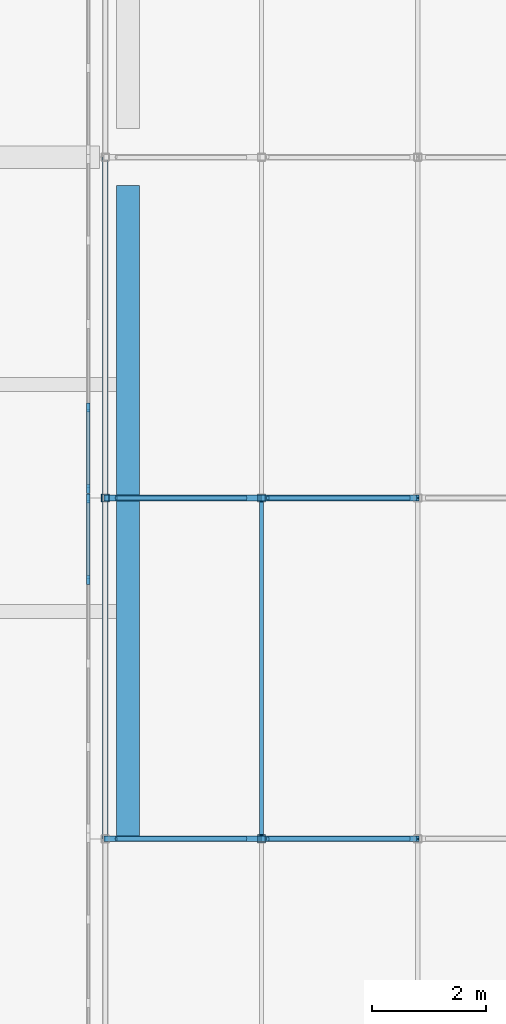
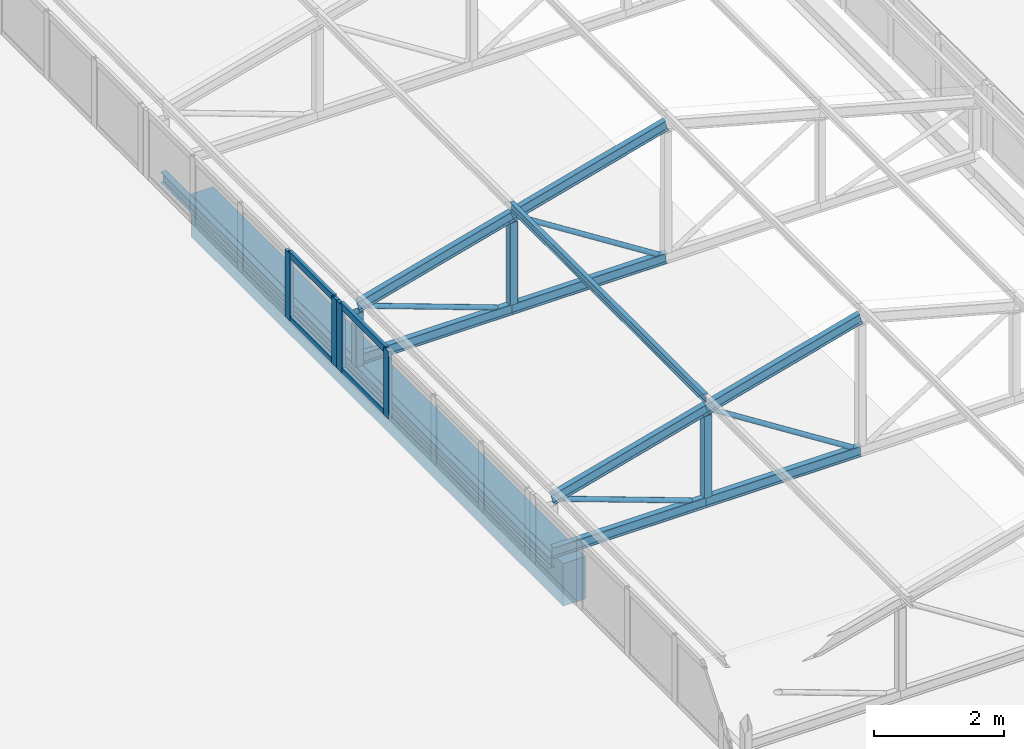
# One storey, part 24 of 94: 24 members, 2 beams, 2 elements without a shape of their own.
"""IFC4 building model written with IfcOpenShell, lengths in metres."""

from ifc_helpers import new_model, si_unit, direction, frame, origin, origin_2d, place, context, subcontext, project, spatial, rectangle, hollow_rectangle, hollow_circle, i_section, extrude, material, layer, layer_set, material_profile, profile_set, type_object, element, aggregate, save


model = new_model("IFC4")

# Units and contexts
model_context = context("Model", 3, precision=1e-05, world=origin(), true_north=direction((0.0, 1.0)))
body_context = subcontext(model_context, "Body", "Model", "MODEL_VIEW")
ifc_project = project(units=[si_unit("LENGTHUNIT", "METRE"), si_unit("AREAUNIT", "SQUARE_METRE"), si_unit("VOLUMEUNIT", "CUBIC_METRE"), si_unit("PLANEANGLEUNIT", "RADIAN"), si_unit("MASSUNIT", "GRAM", prefix="KILO")], contexts=[model_context])

# Site, building, storey
site_placement = place(None, origin())
site = spatial("IfcSite", under=ifc_project, at=site_placement, CompositionType="ELEMENT")
building_placement = place(site_placement, origin())
building = spatial("IfcBuilding", under=site, at=building_placement, Name="Lilac Gate Convention Centre", CompositionType="ELEMENT")
storey_placement = place(building_placement, frame((0.0, 0.0, 21.0)))
storey = spatial("IfcBuildingStorey", under=building, at=storey_placement, Name="L04", CompositionType="ELEMENT", Elevation=21.0)

# Curtain wall, members
ifc_material_1 = material(Name="Aluminium framed double glazing", Category="aluminium")
ifc_layer = layer(ifc_material_1, 0.199951171875)
ifc_layer_set = layer_set([ifc_layer], Name="Aluminium framed double glazing")
curtain_wall_type = type_object("IfcCurtainWallType", Name="Unitised curtain wall 1500", PredefinedType="NOTDEFINED", material=ifc_layer_set)
curtain_wall_1_placement = place(storey_placement, origin())
curtain_wall_1 = element("IfcCurtainWall", 1, at=curtain_wall_1_placement, inside=storey, type_object=curtain_wall_type, Name="Lantern clerestory W 13", PredefinedType="NOTDEFINED")
ifc_material_2 = material(Name="Aluminium alloy 6063", Category="aluminium")
ifc_material_profile_1 = material_profile(ifc_material_2, rectangle(XDim=0.06005859375, YDim=0.159912109375, at=origin_2d()), Name="Curtain wall mullion 60 x 160")
ifc_profile_set_1 = profile_set([ifc_material_profile_1], Name="Aluminium alloy 6063")
member_type_1 = type_object("IfcMemberType", Name="Curtain wall mullion 60 x 160", PredefinedType="MULLION", material=ifc_profile_set_1)
member_1_placement = place(storey_placement, frame((17.300048828125, 106.55615234375, 0.0), z_axis=(0.0, 0.0, 1.0), x_axis=(-1.0, 0.0, 0.0)))
member_1 = element("IfcMember", 2, at=member_1_placement, type_object=member_type_1, Name="CW mullion 4", PredefinedType="MULLION", context=body_context, shape_type="SweptSolid", body=[
    extrude(rectangle(XDim=0.06005859375, YDim=0.159912109375, at=origin_2d()), origin(), (0.0, 0.0, 1.0), 1.272216796875),
])
member_2_placement = place(storey_placement, frame((17.300048828125, 107.994873046875, 0.0), z_axis=(0.0, 0.0, 1.0), x_axis=(-1.0, 0.0, 0.0)))
member_2 = element("IfcMember", 3, at=member_2_placement, type_object=member_type_1, Name="CW mullion 5", PredefinedType="MULLION", context=body_context, shape_type="SweptSolid", body=[
    extrude(rectangle(XDim=0.06005859375, YDim=0.159912109375, at=origin_2d()), origin(), (0.0, 0.0, 1.0), 1.272216796875),
])

curtain_wall_2_placement = place(storey_placement, origin())
curtain_wall_2 = element("IfcCurtainWall", 4, at=curtain_wall_2_placement, inside=storey, type_object=curtain_wall_type, Name="Lantern clerestory W 14", PredefinedType="NOTDEFINED")
member_3_placement = place(storey_placement, frame((17.300048828125, 108.155029296875, 0.0), z_axis=(0.0, 0.0, 1.0), x_axis=(-1.0, 0.0, 0.0)))
member_3 = element("IfcMember", 5, at=member_3_placement, type_object=member_type_1, Name="CW mullion 1", PredefinedType="MULLION", context=body_context, shape_type="SweptSolid", body=[
    extrude(rectangle(XDim=0.06005859375, YDim=0.159912109375, at=origin_2d()), origin(), (0.0, 0.0, 1.0), 1.272216796875),
])
member_4_placement = place(storey_placement, frame((17.300048828125, 109.59375, 0.0), z_axis=(0.0, 0.0, 1.0), x_axis=(-1.0, 0.0, 0.0)))
member_4 = element("IfcMember", 6, at=member_4_placement, type_object=member_type_1, Name="CW mullion 2", PredefinedType="MULLION", context=body_context, shape_type="SweptSolid", body=[
    extrude(rectangle(XDim=0.06005859375, YDim=0.159912109375, at=origin_2d()), origin(), (0.0, 0.0, 1.0), 1.272216796875),
])

# Member
ifc_material_profile_2 = material_profile(ifc_material_2, rectangle(XDim=0.06005859375, YDim=0.1201171875, at=origin_2d()), Name="Curtain wall transom 60 x 120")
ifc_profile_set_2 = profile_set([ifc_material_profile_2], Name="Aluminium alloy 6063")
member_type_2 = type_object("IfcMemberType", Name="Curtain wall transom 60 x 120", PredefinedType="USERDEFINED", material=ifc_profile_set_2)
member_5_placement = place(storey_placement, frame((17.300048828125, 106.586181640625, 0.030029296875), z_axis=(0.0, 1.0, 0.0), x_axis=(-1.0, 0.0, 0.0)))
member_5 = element("IfcMember", 7, at=member_5_placement, type_object=member_type_2, Name="CW transom 4.1", ObjectType="TRANSOM", PredefinedType="USERDEFINED", context=body_context, shape_type="SweptSolid", body=[
    extrude(rectangle(XDim=0.06005859375, YDim=0.1201171875, at=origin_2d()), origin(), (0.0, 0.0, 1.0), 1.378662109375),
])

member_6_placement = place(storey_placement, frame((17.300048828125, 106.586181640625, 1.2421875), z_axis=(0.0, 1.0, 0.0), x_axis=(-1.0, 0.0, 0.0)))
member_6 = element("IfcMember", 8, at=member_6_placement, type_object=member_type_2, Name="CW transom 4.2", ObjectType="TRANSOM", PredefinedType="USERDEFINED", context=body_context, shape_type="SweptSolid", body=[
    extrude(rectangle(XDim=0.06005859375, YDim=0.1201171875, at=origin_2d()), origin(), (0.0, 0.0, 1.0), 1.378662109375),
])

aggregate(curtain_wall_1, [member_1, member_2, member_5, member_6])

member_7_placement = place(storey_placement, frame((17.300048828125, 108.18505859375, 0.030029296875), z_axis=(0.0, 1.0, 0.0), x_axis=(-1.0, 0.0, 0.0)))
member_7 = element("IfcMember", 9, at=member_7_placement, type_object=member_type_2, Name="CW transom 1.1", ObjectType="TRANSOM", PredefinedType="USERDEFINED", context=body_context, shape_type="SweptSolid", body=[
    extrude(rectangle(XDim=0.06005859375, YDim=0.1201171875, at=origin_2d()), origin(), (0.0, 0.0, 1.0), 1.378662109375),
])

member_8_placement = place(storey_placement, frame((17.300048828125, 108.18505859375, 1.2421875), z_axis=(0.0, 1.0, 0.0), x_axis=(-1.0, 0.0, 0.0)))
member_8 = element("IfcMember", 10, at=member_8_placement, type_object=member_type_2, Name="CW transom 1.2", ObjectType="TRANSOM", PredefinedType="USERDEFINED", context=body_context, shape_type="SweptSolid", body=[
    extrude(rectangle(XDim=0.06005859375, YDim=0.1201171875, at=origin_2d()), origin(), (0.0, 0.0, 1.0), 1.378662109375),
])

aggregate(curtain_wall_2, [member_3, member_4, member_7, member_8])

# Members
ifc_material_3 = material(Name="Steel Q355B", Category="steel")
ifc_material_profile_3 = material_profile(ifc_material_3, i_section(OverallWidth=0.10009765625, OverallDepth=0.199951171875, WebThickness=0.005615234375, FlangeThickness=0.008056640625, FilletRadius=0.008056640625, at=origin_2d()), Name="HN200x100x5.5x8")
ifc_profile_set_3 = profile_set([ifc_material_profile_3], Name="Steel Q355B")
member_type_3 = type_object("IfcMemberType", Name="Lantern bottom chord HN200x100x5.5x8", PredefinedType="CHORD", material=ifc_profile_set_3)
for number, where, z_axis, x_axis, name in (
    (11, (17.60009765625, 102.0, 0.10009765625), (1.0, 0.0, 0.0), (0.0, 1.0, 0.0), "LB1 lantern truss 13 bottom chord 1"),
    (12, (20.35009765625, 102.0, 0.10009765625), (1.0, 0.0, 0.0), (0.0, 1.0, 0.0), "LB1 lantern truss 13 bottom chord 2"),
    (13, (17.60009765625, 108.0, 0.10009765625), (1.0, 0.0, 0.0), (0.0, 1.0, 0.0), "LB1 lantern truss 14 bottom chord 1"),
    (14, (20.35009765625, 108.0, 0.10009765625), (1.0, 0.0, 0.0), (0.0, 1.0, 0.0), "LB1 lantern truss 14 bottom chord 2"),
):
    element("IfcMember", number, at=place(storey_placement, frame(where, z_axis=z_axis, x_axis=x_axis)), inside=storey, type_object=member_type_3, Name=name, PredefinedType="CHORD", context=body_context, shape_type="SweptSolid", body=[
        extrude(i_section(OverallWidth=0.10009765625, OverallDepth=0.199951171875, WebThickness=0.005615234375, FlangeThickness=0.008056640625, FilletRadius=0.008056640625, at=origin_2d()), origin(), (0.0, 0.0, 1.0), 2.75),
    ])
ifc_material_profile_4 = material_profile(ifc_material_3, hollow_circle(Radius=0.04443359375, WallThickness=0.0048828125, at=origin_2d()), Name="CHS88.9x5")
ifc_profile_set_4 = profile_set([ifc_material_profile_4], Name="Steel Q355B")
member_type_4 = type_object("IfcMemberType", Name="Lantern diagonal CHS88.9x5", PredefinedType="BRACE", material=ifc_profile_set_4)
member_9_placement = place(storey_placement, frame((17.789794921875, 102.0, 1.031005859375), z_axis=(0.939781696917, 0.0, -0.341775309434), x_axis=(0.0, 1.0, 0.0)))
element("IfcMember", 15, at=member_9_placement, inside=storey, type_object=member_type_4, Name="LW1 lantern truss 13 diagonal 1", PredefinedType="BRACE", context=body_context, shape_type="SweptSolid", body=[
    extrude(hollow_circle(Radius=0.04443359375, WallThickness=0.0048828125, at=origin_2d()), origin(), (0.0, 0.0, 1.0), 2.431640625),
])
member_10_placement = place(storey_placement, frame((20.45849609375, 102.0, 1.781005859375), z_axis=(0.843647832412, 0.0, -0.536896949951), x_axis=(0.0, 1.0, 0.0)))
element("IfcMember", 16, at=member_10_placement, inside=storey, type_object=member_type_4, Name="LW1 lantern truss 13 diagonal 2", PredefinedType="BRACE", context=body_context, shape_type="SweptSolid", body=[
    extrude(hollow_circle(Radius=0.04443359375, WallThickness=0.0048828125, at=origin_2d()), origin(), (0.0, 0.0, 1.0), 2.94482421875),
])
member_11_placement = place(storey_placement, frame((17.789794921875, 108.0, 1.031005859375), z_axis=(0.939781696917, 0.0, -0.341775309434), x_axis=(0.0, 1.0, 0.0)))
element("IfcMember", 17, at=member_11_placement, inside=storey, type_object=member_type_4, Name="LW1 lantern truss 14 diagonal 1", PredefinedType="BRACE", context=body_context, shape_type="SweptSolid", body=[
    extrude(hollow_circle(Radius=0.04443359375, WallThickness=0.0048828125, at=origin_2d()), origin(), (0.0, 0.0, 1.0), 2.431640625),
])
member_12_placement = place(storey_placement, frame((20.45849609375, 108.0, 1.781005859375), z_axis=(0.843647832412, 0.0, -0.536896949951), x_axis=(0.0, 1.0, 0.0)))
element("IfcMember", 18, at=member_12_placement, inside=storey, type_object=member_type_4, Name="LW1 lantern truss 14 diagonal 2", PredefinedType="BRACE", context=body_context, shape_type="SweptSolid", body=[
    extrude(hollow_circle(Radius=0.04443359375, WallThickness=0.0048828125, at=origin_2d()), origin(), (0.0, 0.0, 1.0), 2.94482421875),
])
ifc_material_profile_5 = material_profile(ifc_material_3, hollow_rectangle(XDim=0.139892578125, YDim=0.139892578125, WallThickness=0.0048828125, InnerFilletRadius=0.0048828125, OuterFilletRadius=0.010009765625, at=origin_2d()), Name="SHS140x140x5")
ifc_profile_set_5 = profile_set([ifc_material_profile_5], Name="Steel Q355B")
member_type_5 = type_object("IfcMemberType", Name="Lantern post SHS140x140x5", PredefinedType="STRUT", material=ifc_profile_set_5)
member_13_placement = place(storey_placement, frame((20.35009765625, 102.0, 0.199951171875), z_axis=(0.0, 0.0, 1.0), x_axis=(1.0, 0.0, 0.0)))
element("IfcMember", 19, at=member_13_placement, inside=storey, type_object=member_type_5, Name="LV1 lantern truss 13 post 2", PredefinedType="STRUT", context=body_context, shape_type="SweptSolid", body=[
    extrude(hollow_rectangle(XDim=0.139892578125, YDim=0.139892578125, WallThickness=0.0048828125, InnerFilletRadius=0.0048828125, OuterFilletRadius=0.010009765625, at=origin_2d()), origin(), (0.0, 0.0, 1.0), 1.546142578125),
])
member_14_placement = place(storey_placement, frame((17.60009765625, 108.0, 0.0), z_axis=(0.0, 0.0, 1.0), x_axis=(1.0, 0.0, 0.0)))
element("IfcMember", 20, at=member_14_placement, inside=storey, type_object=member_type_5, Name="LV1 lantern truss 14 post 1", PredefinedType="STRUT", context=body_context, shape_type="SweptSolid", body=[
    extrude(hollow_rectangle(XDim=0.139892578125, YDim=0.139892578125, WallThickness=0.0048828125, InnerFilletRadius=0.0048828125, OuterFilletRadius=0.010009765625, at=origin_2d()), origin(), (0.0, 0.0, 1.0), 1.001953125),
])
member_15_placement = place(storey_placement, frame((20.35009765625, 108.0, 0.199951171875), z_axis=(0.0, 0.0, 1.0), x_axis=(1.0, 0.0, 0.0)))
element("IfcMember", 21, at=member_15_placement, inside=storey, type_object=member_type_5, Name="LV1 lantern truss 14 post 2", PredefinedType="STRUT", context=body_context, shape_type="SweptSolid", body=[
    extrude(hollow_rectangle(XDim=0.139892578125, YDim=0.139892578125, WallThickness=0.0048828125, InnerFilletRadius=0.0048828125, OuterFilletRadius=0.010009765625, at=origin_2d()), origin(), (0.0, 0.0, 1.0), 1.546142578125),
])
ifc_material_profile_6 = material_profile(ifc_material_3, i_section(OverallWidth=0.074951171875, OverallDepth=0.14990234375, WebThickness=0.0048828125, FlangeThickness=0.007080078125, FilletRadius=0.008056640625, at=origin_2d()), Name="HN150x75x5x7")
ifc_profile_set_6 = profile_set([ifc_material_profile_6], Name="Steel Q355B")
member_type_6 = type_object("IfcMemberType", Name="Lantern purlin HN150x75x5x7", PredefinedType="PURLIN", material=ifc_profile_set_6)
member_16_placement = place(storey_placement, frame((20.35009765625, 102.0, 2.029052734375), z_axis=(0.0, 1.0, 0.0), x_axis=(-1.0, 0.0, 0.0)))
element("IfcMember", 22, at=member_16_placement, inside=storey, type_object=member_type_6, Name="LP1 lantern purlin bay 13 line 2", PredefinedType="PURLIN", context=body_context, shape_type="SweptSolid", body=[
    extrude(i_section(OverallWidth=0.074951171875, OverallDepth=0.14990234375, WebThickness=0.0048828125, FlangeThickness=0.007080078125, FilletRadius=0.008056640625, at=origin_2d()), origin(), (0.0, 0.0, 1.0), 6.0),
])
ifc_material_profile_7 = material_profile(ifc_material_3, i_section(OverallWidth=0.10009765625, OverallDepth=0.199951171875, WebThickness=0.005615234375, FlangeThickness=0.008056640625, FilletRadius=0.008056640625, at=origin_2d()), Name="HN200x100x5.5x8")
ifc_profile_set_7 = profile_set([ifc_material_profile_7], Name="Steel Q355B")
member_type_7 = type_object("IfcMemberType", Name="Lantern top chord HN200x100x5.5x8", PredefinedType="CHORD", material=ifc_profile_set_7)
for number, where, z_axis, x_axis, name in (
    (23, (17.60009765625, 102.0, 1.10009765625), (0.964763821238, 0.0, 0.263117405792), (0.0, 1.0, 0.0), "LT1 lantern truss 13 top chord 1"),
    (24, (20.35009765625, 102.0, 1.85009765625), (0.964763821238, 0.0, 0.263117405792), (0.0, 1.0, 0.0), "LT1 lantern truss 13 top chord 2"),
    (25, (17.60009765625, 108.0, 1.10009765625), (0.964763821238, 0.0, 0.263117405792), (0.0, 1.0, 0.0), "LT1 lantern truss 14 top chord 1"),
    (26, (20.35009765625, 108.0, 1.85009765625), (0.964763821238, 0.0, 0.263117405792), (0.0, 1.0, 0.0), "LT1 lantern truss 14 top chord 2"),
):
    element("IfcMember", number, at=place(storey_placement, frame(where, z_axis=z_axis, x_axis=x_axis)), inside=storey, type_object=member_type_7, Name=name, PredefinedType="CHORD", context=body_context, shape_type="SweptSolid", body=[
        extrude(i_section(OverallWidth=0.10009765625, OverallDepth=0.199951171875, WebThickness=0.005615234375, FlangeThickness=0.008056640625, FilletRadius=0.008056640625, at=origin_2d()), origin(), (0.0, 0.0, 1.0), 2.850341796875),
    ])

# Beams
ifc_material_profile_8 = material_profile(ifc_material_3, i_section(OverallWidth=0.10009765625, OverallDepth=0.199951171875, WebThickness=0.005615234375, FlangeThickness=0.008056640625, FilletRadius=0.008056640625, at=origin_2d()), Name="HN200x100x5.5x8")
ifc_profile_set_8 = profile_set([ifc_material_profile_8], Name="Steel Q355B")
beam_type_1 = type_object("IfcBeamType", Name="Steel edge beam HN200x100x5.5x8", PredefinedType="BEAM", material=ifc_profile_set_8)
beam_1_placement = place(storey_placement, frame((17.60009765625, 102.0, -0.10009765625), z_axis=(0.0, 1.0, 0.0), x_axis=(-1.0, 0.0, 0.0)))
element("IfcBeam", 27, at=beam_1_placement, inside=storey, type_object=beam_type_1, Name="LE2 lantern west edge beam 7", PredefinedType="BEAM", context=body_context, shape_type="SweptSolid", body=[
    extrude(i_section(OverallWidth=0.10009765625, OverallDepth=0.199951171875, WebThickness=0.005615234375, FlangeThickness=0.008056640625, FilletRadius=0.008056640625, at=origin_2d()), origin(), (0.0, 0.0, 1.0), 12.0),
])
ifc_material_4 = material(Name="Concrete C40", Category="concrete")
ifc_material_profile_9 = material_profile(ifc_material_4, rectangle(XDim=0.39990234375, YDim=0.800048828125, at=origin_2d()), Name="RC 400x800")
ifc_profile_set_9 = profile_set([ifc_material_profile_9], Name="Concrete C40")
beam_type_2 = type_object("IfcBeamType", Name="Tower primary beam 400x800 C40", PredefinedType="BEAM", material=ifc_profile_set_9)
beam_2_placement = place(storey_placement, frame((18.0, 102.0, -0.60009765625), z_axis=(0.0, 1.0, 0.0), x_axis=(-1.0, 0.0, 0.0)))
element("IfcBeam", 28, at=beam_2_placement, inside=storey, type_object=beam_type_2, Name="RB3 L04 2/G-2/H", PredefinedType="BEAM", context=body_context, shape_type="SweptSolid", body=[
    extrude(rectangle(XDim=0.39990234375, YDim=0.800048828125, at=origin_2d()), origin(), (0.0, 0.0, 1.0), 11.5),
])

save(model, "model.ifc")
